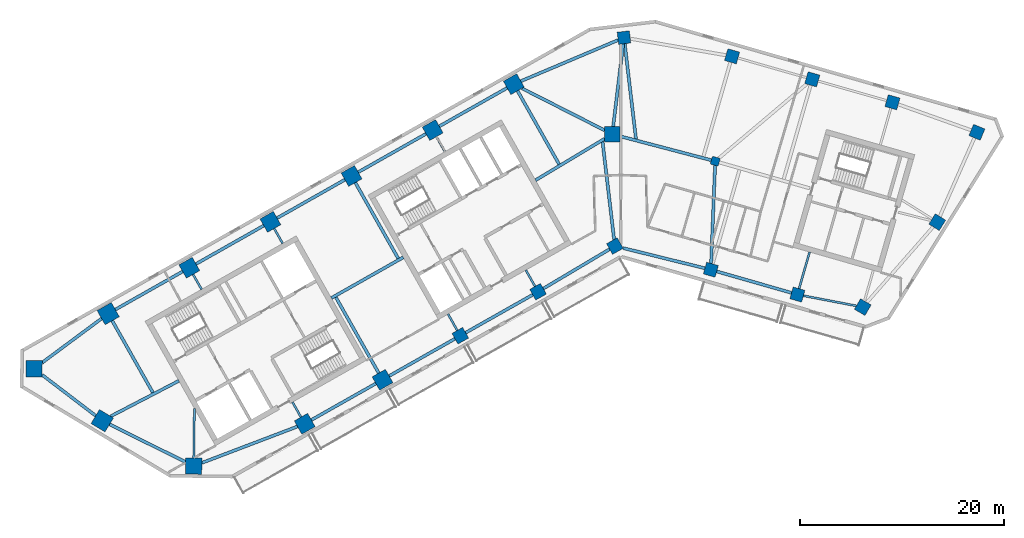
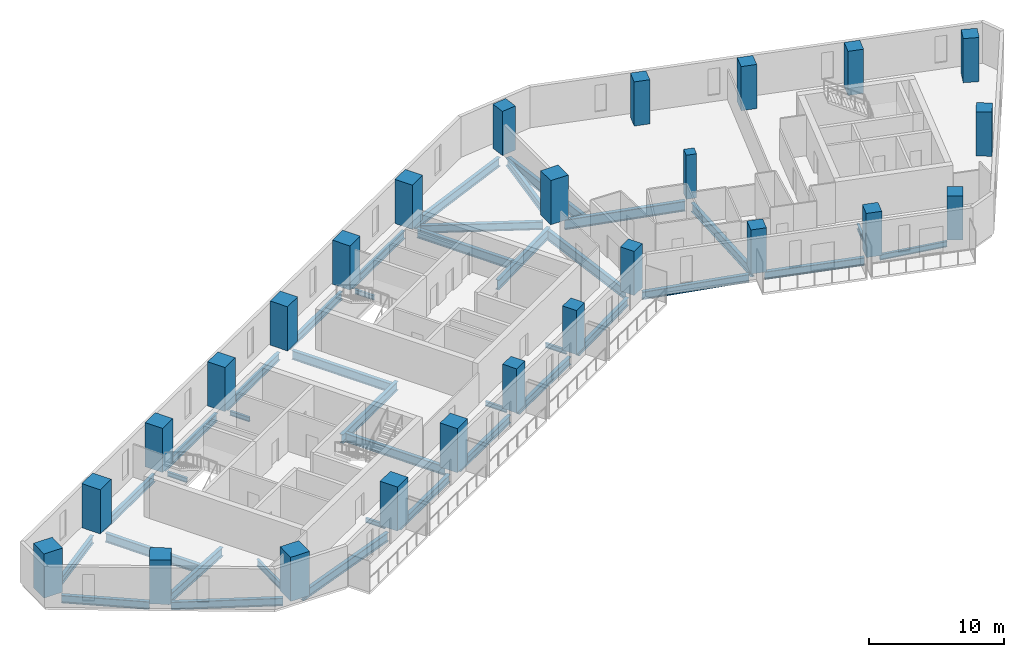
# One storey, part 1 of 9: 38 beams, 25 columns.
"""IFC4 building model written with IfcOpenShell, lengths in metres."""

from ifc_helpers import new_model, si_unit, direction, frame, origin, origin_2d, place, context, subcontext, project, spatial, rectangle, i_section, extrude, material, material_profile, profile_set, type_object, element, save


model = new_model("IFC4")

# Units and contexts
model_context = context("Model", 3, precision=1e-05, world=origin(), true_north=direction((0.0, 1.0)))
body_context = subcontext(model_context, "Body", "Model", "MODEL_VIEW")
ifc_project = project(units=[si_unit("LENGTHUNIT", "METRE"), si_unit("AREAUNIT", "SQUARE_METRE"), si_unit("VOLUMEUNIT", "CUBIC_METRE"), si_unit("PLANEANGLEUNIT", "RADIAN"), si_unit("MASSUNIT", "GRAM", prefix="KILO")], contexts=[model_context])

# Site, building, storey
site_placement = place(None, origin())
site = spatial("IfcSite", under=ifc_project, at=site_placement, CompositionType="ELEMENT")
building_placement = place(site_placement, origin())
building = spatial("IfcBuilding", under=site, at=building_placement, Name="Binnacle Exchange Tower", CompositionType="ELEMENT")
storey_placement = place(building_placement, frame((0.0, 0.0, 174.89990234375)))
storey = spatial("IfcBuildingStorey", under=building, at=storey_placement, Name="L37", CompositionType="ELEMENT", Elevation=174.89990234375)

# Columns
ifc_material_1 = material(Name="Concrete C60/75", Category="concrete")
ifc_material_profile_1 = material_profile(ifc_material_1, rectangle(XDim=0.800048828125, YDim=0.800048828125, at=origin_2d()), Name="Column 800x800 C60/75")
ifc_profile_set_1 = profile_set([ifc_material_profile_1], Name="Concrete C60/75")
column_type_1 = type_object("IfcColumnType", Name="Column 800x800 C60/75", PredefinedType="COLUMN", material=ifc_profile_set_1)
column_placement = place(storey_placement, frame((9.240966796875, 57.35009765625, 0.0), z_axis=(0.0, 0.0, 1.0), x_axis=(0.961261695938, -0.275637355817, 0.0)))
element("IfcColumn", 1, at=column_placement, inside=storey, type_object=column_type_1, Name="S:COL:C19:L37", PredefinedType="COLUMN", context=body_context, shape_type="SweptSolid", body=[
    extrude(rectangle(XDim=0.800048828125, YDim=0.800048828125, at=origin_2d()), origin(), (0.0, 0.0, 1.0), 4.0),
])
ifc_material_2 = material(Name="Concrete C70/85", Category="concrete")
ifc_material_profile_2 = material_profile(ifc_material_2, rectangle(XDim=1.199951171875, YDim=1.199951171875, at=origin_2d()), Name="Mega column 1200x1200 C70/85")
ifc_profile_set_2 = profile_set([ifc_material_profile_2], Name="Concrete C70/85")
column_type_2 = type_object("IfcColumnType", Name="Mega column 1200x1200 C70/85", PredefinedType="COLUMN", material=ifc_profile_set_2)
for number, where, z_axis, x_axis, name in (
    (2, (26.602783203125, 63.12353515625, 0.0), (0.0, 0.0, 1.0), (-0.961261695938, 0.275637355817, 0.0), "S:COL:MC52:L37"),
    (3, (18.746337890625, 65.376220703125, 0.0), (0.0, 0.0, 1.0), (-0.961261695938, 0.275637355817, 0.0), "S:COL:MC50:L37"),
    (4, (10.889892578125, 67.62890625, 0.0), (0.0, 0.0, 1.0), (-0.961261695938, 0.275637355817, 0.0), "S:COL:MC48:L37"),
    (5, (0.300048828125, 69.464111328125, 0.0), (0.0, 0.0, 1.0), (-0.993068456955, -0.117537397458, 0.0), "S:COL:MC47:L37"),
    (6, (-15.736328125, 40.257080078125, 0.0), (0.0, 0.0, 1.0), (0.87035569594, 0.492423560103, 0.0), "S:COL:MC24:L37"),
    (7, (-8.116943359375, 44.568115234375, 0.0), (0.0, 0.0, 1.0), (0.87035569594, 0.492423560103, 0.0), "S:COL:MC35:L37"),
    (8, (-0.5908203125, 49.04443359375, 0.0), (0.0, 0.0, 1.0), (0.87035569594, 0.492423560103, 0.0), "S:COL:MC46:L37"),
    (9, (8.8095703125, 46.722412109375, 0.0), (0.0, 0.0, 1.0), (0.961261695938, -0.275637355817, 0.0), "S:COL:MC49:L37"),
    (10, (17.2880859375, 44.291015625, 0.0), (0.0, 0.0, 1.0), (0.961261695938, -0.275637355817, 0.0), "S:COL:MC51:L37"),
    (11, (23.690185546875, 43.062744140625, 0.0), (0.0, 0.0, 1.0), (-0.86532642813, 0.501208711795, 0.0), "S:COL:MC53:L37"),
    (12, (30.989501953125, 51.38623046875, 0.0), (0.0, 0.0, 1.0), (0.529919264233, 0.848048096156, 0.0), "S:COL:MC55:L37"),
    (13, (34.870361328125, 60.18701171875, 0.0), (0.0, 0.0, 1.0), (-0.922814001807, 0.385245789164, 0.0), "S:COL:MC54:L37"),
):
    element("IfcColumn", number, at=place(storey_placement, frame(where, z_axis=z_axis, x_axis=x_axis)), inside=storey, type_object=column_type_2, Name=name, PredefinedType="COLUMN", context=body_context, shape_type="SweptSolid", body=[
        extrude(rectangle(XDim=1.199951171875, YDim=1.199951171875, at=origin_2d()), origin(), (0.0, 0.0, 1.0), 4.0),
    ])
ifc_material_profile_3 = material_profile(ifc_material_2, rectangle(XDim=1.5, YDim=1.5, at=origin_2d()), Name="Mega column 1500x1500 C70/85")
ifc_profile_set_3 = profile_set([ifc_material_profile_3], Name="Concrete C70/85")
column_type_3 = type_object("IfcColumnType", Name="Mega column 1500x1500 C70/85", PredefinedType="COLUMN", material=ifc_profile_set_3)
for number, where, z_axis, x_axis, name in (
    (14, (-10.4951171875, 64.901611328125, 0.0), (0.0, 0.0, 1.0), (-0.87035569594, -0.492423560103, 0.0), "S:COL:MC38:L37"),
    (15, (-18.44140625, 60.406005859375, 0.0), (0.0, 0.0, 1.0), (-0.87035569594, -0.492423560103, 0.0), "S:COL:MC29:L37"),
    (16, (-26.3876953125, 55.91015625, 0.0), (0.0, 0.0, 1.0), (-0.87035569594, -0.492423560103, 0.0), "S:COL:MC21:L37"),
    (17, (-34.333740234375, 51.414306640625, 0.0), (0.0, 0.0, 1.0), (-0.87035569594, -0.492423560103, 0.0), "S:COL:MC13:L37"),
    (18, (-42.280029296875, 46.918701171875, 0.0), (0.0, 0.0, 1.0), (-0.87035569594, -0.492423560103, 0.0), "S:COL:MC08:L37"),
    (19, (-30.9755859375, 31.63525390625, 0.0), (0.0, 0.0, 1.0), (0.87035569594, 0.492423560103, 0.0), "S:COL:MC07:L37"),
    (20, (-23.35595703125, 35.9462890625, 0.0), (0.0, 0.0, 1.0), (0.87035569594, 0.492423560103, 0.0), "S:COL:MC16:L37"),
    (21, (-0.85009765625, 60.0, 0.0), (0.0, 0.0, 1.0), (0.0, 1.0, 0.0), "S:COL:MC45:L37"),
):
    element("IfcColumn", number, at=place(storey_placement, frame(where, z_axis=z_axis, x_axis=x_axis)), inside=storey, type_object=column_type_3, Name=name, PredefinedType="COLUMN", context=body_context, shape_type="SweptSolid", body=[
        extrude(rectangle(XDim=1.5, YDim=1.5, at=origin_2d()), origin(), (0.0, 0.0, 1.0), 4.0),
    ])
ifc_material_profile_4 = material_profile(ifc_material_2, rectangle(XDim=1.60009765625, YDim=1.60009765625, at=origin_2d()), Name="Mega column 1600x1600 C70/85")
ifc_profile_set_4 = profile_set([ifc_material_profile_4], Name="Concrete C70/85")
column_type_4 = type_object("IfcColumnType", Name="Mega column 1600x1600 C70/85", PredefinedType="COLUMN", material=ifc_profile_set_4)
for number, where, z_axis, x_axis, name in (
    (22, (-50.226318359375, 42.4228515625, 0.0), (0.0, 0.0, 1.0), (-0.87035569594, -0.492423560103, 0.0), "S:COL:MC04:L37"),
    (23, (-57.492919921875, 37.02734375, 0.0), (0.0, 0.0, 1.0), (-0.013089595571, -0.999914327574, 0.0), "S:COL:MC02:L37"),
    (24, (-50.81201171875, 31.930908203125, 0.0), (0.0, 0.0, 1.0), (0.857167300702, -0.51503807491, 0.0), "S:COL:MC01:L37"),
    (25, (-41.857666015625, 27.494873046875, 0.0), (0.0, 0.0, 1.0), (0.999914327574, -0.013089595571, 0.0), "S:COL:MC03:L37"),
):
    element("IfcColumn", number, at=place(storey_placement, frame(where, z_axis=z_axis, x_axis=x_axis)), inside=storey, type_object=column_type_4, Name=name, PredefinedType="COLUMN", context=body_context, shape_type="SweptSolid", body=[
        extrude(rectangle(XDim=1.60009765625, YDim=1.60009765625, at=origin_2d()), origin(), (0.0, 0.0, 1.0), 4.0),
    ])

# Beams
ifc_material_3 = material(Name="Steel S355 (SHN355)", Category="steel")
ifc_material_profile_5 = material_profile(ifc_material_3, i_section(OverallWidth=0.200927734375, OverallDepth=0.506103515625, WebThickness=0.010986328125, FlangeThickness=0.01904296875, FilletRadius=0.02001953125, at=origin_2d()), Name="H 506x201x11x19")
ifc_profile_set_5 = profile_set([ifc_material_profile_5], Name="Steel S355 (SHN355)")
beam_type_1 = type_object("IfcBeamType", Name="Edge girder H 506x201x11x19 Steel S355 (SHN355)", PredefinedType="SPANDREL", material=ifc_profile_set_5)
beam_1_placement = place(storey_placement, frame((17.8798828125, 44.177490234375, -0.572998046875), z_axis=(0.982085171807, -0.188437563446, 0.0), x_axis=(0.188437563446, 0.982085171807, 0.0)))
element("IfcBeam", 26, at=beam_1_placement, inside=storey, type_object=beam_type_1, Name="S:BM:edge:L37:028", PredefinedType="SPANDREL", context=body_context, shape_type="SweptSolid", body=[
    extrude(i_section(OverallWidth=0.200927734375, OverallDepth=0.506103515625, WebThickness=0.010986328125, FlangeThickness=0.01904296875, FilletRadius=0.02001953125, at=origin_2d()), origin(), (0.0, 0.0, 1.0), 5.281005859375),
])
ifc_material_profile_6 = material_profile(ifc_material_3, i_section(OverallWidth=0.300048828125, OverallDepth=0.699951171875, WebThickness=0.012939453125, FlangeThickness=0.02392578125, FilletRadius=0.028076171875, at=origin_2d()), Name="H 700x300x13x24")
ifc_profile_set_6 = profile_set([ifc_material_profile_6], Name="Steel S355 (SHN355)")
beam_type_2 = type_object("IfcBeamType", Name="Edge girder H 700x300x13x24 Steel S355 (SHN355)", PredefinedType="SPANDREL", material=ifc_profile_set_6)
beam_2_placement = place(storey_placement, frame((-56.70068359375, 36.423095703125, -0.669921875), z_axis=(0.795078424379, -0.606506635649, 0.0), x_axis=(0.606506635649, 0.795078424379, 0.0)))
element("IfcBeam", 27, at=beam_2_placement, inside=storey, type_object=beam_type_2, Name="S:BM:edge:L37:011", PredefinedType="SPANDREL", context=body_context, shape_type="SweptSolid", body=[
    extrude(i_section(OverallWidth=0.300048828125, OverallDepth=0.699951171875, WebThickness=0.012939453125, FlangeThickness=0.02392578125, FilletRadius=0.028076171875, at=origin_2d()), origin(), (0.0, 0.0, 1.0), 6.6015625),
])
beam_3_placement = place(storey_placement, frame((-50.87353515625, 41.9423828125, -0.669921875), z_axis=(-0.802872533272, -0.596150732044, 0.0), x_axis=(0.596150732044, -0.802872533272, 0.0)))
element("IfcBeam", 28, at=beam_3_placement, inside=storey, type_object=beam_type_2, Name="S:BM:edge:L37:012", PredefinedType="SPANDREL", context=body_context, shape_type="SweptSolid", body=[
    extrude(i_section(OverallWidth=0.300048828125, OverallDepth=0.699951171875, WebThickness=0.012939453125, FlangeThickness=0.02392578125, FilletRadius=0.028076171875, at=origin_2d()), origin(), (0.0, 0.0, 1.0), 7.238525390625),
])
beam_4_placement = place(storey_placement, frame((-50.0927734375, 31.57470703125, -0.669921875), z_axis=(0.896061869104, -0.443929191131, 0.0), x_axis=(0.443929191131, 0.896061869104, 0.0)))
element("IfcBeam", 29, at=beam_4_placement, inside=storey, type_object=beam_type_2, Name="S:BM:edge:L37:013", PredefinedType="SPANDREL", context=body_context, shape_type="SweptSolid", body=[
    extrude(i_section(OverallWidth=0.300048828125, OverallDepth=0.699951171875, WebThickness=0.012939453125, FlangeThickness=0.02392578125, FilletRadius=0.028076171875, at=origin_2d()), origin(), (0.0, 0.0, 1.0), 8.30322265625),
])
beam_5_placement = place(storey_placement, frame((-42.932861328125, 46.54931640625, -0.669921875), z_axis=(-0.870352192811, -0.492429751811, 0.0), x_axis=(0.492429751811, -0.870352192811, 0.0)))
element("IfcBeam", 30, at=beam_5_placement, inside=storey, type_object=beam_type_2, Name="S:BM:edge:L37:014", PredefinedType="SPANDREL", context=body_context, shape_type="SweptSolid", body=[
    extrude(i_section(OverallWidth=0.300048828125, OverallDepth=0.699951171875, WebThickness=0.012939453125, FlangeThickness=0.02392578125, FilletRadius=0.028076171875, at=origin_2d()), origin(), (0.0, 0.0, 1.0), 7.57958984375),
])
beam_6_placement = place(storey_placement, frame((-34.986572265625, 51.045166015625, -0.669921875), z_axis=(-0.870355964277, -0.492423085818, 0.0), x_axis=(0.492423085818, -0.870355964277, 0.0)))
element("IfcBeam", 31, at=beam_6_placement, inside=storey, type_object=beam_type_2, Name="S:BM:edge:L37:016", PredefinedType="SPANDREL", context=body_context, shape_type="SweptSolid", body=[
    extrude(i_section(OverallWidth=0.300048828125, OverallDepth=0.699951171875, WebThickness=0.012939453125, FlangeThickness=0.02392578125, FilletRadius=0.028076171875, at=origin_2d()), origin(), (0.0, 0.0, 1.0), 7.6298828125),
])
beam_7_placement = place(storey_placement, frame((-30.32275390625, 32.004638671875, -0.669921875), z_axis=(0.870355920795, 0.492423162674, 0.0), x_axis=(-0.492423162674, 0.870355920795, 0.0)))
element("IfcBeam", 32, at=beam_7_placement, inside=storey, type_object=beam_type_2, Name="S:BM:edge:L37:017", PredefinedType="SPANDREL", context=body_context, shape_type="SweptSolid", body=[
    extrude(i_section(OverallWidth=0.300048828125, OverallDepth=0.699951171875, WebThickness=0.012939453125, FlangeThickness=0.02392578125, FilletRadius=0.028076171875, at=origin_2d()), origin(), (0.0, 0.0, 1.0), 7.25439453125),
])
beam_8_placement = place(storey_placement, frame((-27.040283203125, 55.541015625, -0.669921875), z_axis=(-0.870342250182, -0.492447324643, 0.0), x_axis=(0.492447324643, -0.870342250182, 0.0)))
element("IfcBeam", 33, at=beam_8_placement, inside=storey, type_object=beam_type_2, Name="S:BM:edge:L37:018", PredefinedType="SPANDREL", context=body_context, shape_type="SweptSolid", body=[
    extrude(i_section(OverallWidth=0.300048828125, OverallDepth=0.699951171875, WebThickness=0.012939453125, FlangeThickness=0.02392578125, FilletRadius=0.028076171875, at=origin_2d()), origin(), (0.0, 0.0, 1.0), 7.6298828125),
])
beam_9_placement = place(storey_placement, frame((-22.703125, 36.3154296875, -0.669921875), z_axis=(0.87035151347, 0.49243095252, 0.0), x_axis=(-0.49243095252, 0.87035151347, 0.0)))
element("IfcBeam", 34, at=beam_9_placement, inside=storey, type_object=beam_type_2, Name="S:BM:edge:L37:019", PredefinedType="SPANDREL", context=body_context, shape_type="SweptSolid", body=[
    extrude(i_section(OverallWidth=0.300048828125, OverallDepth=0.699951171875, WebThickness=0.012939453125, FlangeThickness=0.02392578125, FilletRadius=0.028076171875, at=origin_2d()), origin(), (0.0, 0.0, 1.0), 7.404541015625),
])
beam_10_placement = place(storey_placement, frame((-19.093994140625, 60.03662109375, -0.669921875), z_axis=(-0.870363722936, -0.492409372165, 0.0), x_axis=(0.492409372165, -0.870363722936, 0.0)))
element("IfcBeam", 35, at=beam_10_placement, inside=storey, type_object=beam_type_2, Name="S:BM:edge:L37:020", PredefinedType="SPANDREL", context=body_context, shape_type="SweptSolid", body=[
    extrude(i_section(OverallWidth=0.300048828125, OverallDepth=0.699951171875, WebThickness=0.012939453125, FlangeThickness=0.02392578125, FilletRadius=0.028076171875, at=origin_2d()), origin(), (0.0, 0.0, 1.0), 7.6298828125),
])
beam_11_placement = place(storey_placement, frame((-15.214111328125, 40.552734375, -0.669921875), z_axis=(0.870353295418, 0.492427802988, 0.0), x_axis=(-0.492427802988, 0.870353295418, 0.0)))
element("IfcBeam", 36, at=beam_11_placement, inside=storey, type_object=beam_type_2, Name="S:BM:edge:L37:021", PredefinedType="SPANDREL", context=body_context, shape_type="SweptSolid", body=[
    extrude(i_section(OverallWidth=0.300048828125, OverallDepth=0.699951171875, WebThickness=0.012939453125, FlangeThickness=0.02392578125, FilletRadius=0.028076171875, at=origin_2d()), origin(), (0.0, 0.0, 1.0), 7.554443359375),
])
beam_12_placement = place(storey_placement, frame((-11.14794921875, 64.532470703125, -0.669921875), z_axis=(-0.870355964277, -0.492423085818, 0.0), x_axis=(0.492423085818, -0.870355964277, 0.0)))
element("IfcBeam", 37, at=beam_12_placement, inside=storey, type_object=beam_type_2, Name="S:BM:edge:L37:022", PredefinedType="SPANDREL", context=body_context, shape_type="SweptSolid", body=[
    extrude(i_section(OverallWidth=0.300048828125, OverallDepth=0.699951171875, WebThickness=0.012939453125, FlangeThickness=0.02392578125, FilletRadius=0.028076171875, at=origin_2d()), origin(), (0.0, 0.0, 1.0), 7.6298828125),
])
beam_13_placement = place(storey_placement, frame((-7.60107421875, 44.875, -0.669921875), z_axis=(0.85946222832, 0.511199254783, 0.0), x_axis=(-0.511199254783, 0.85946222832, 0.0)))
element("IfcBeam", 38, at=beam_13_placement, inside=storey, type_object=beam_type_2, Name="S:BM:edge:L37:023", PredefinedType="SPANDREL", context=body_context, shape_type="SweptSolid", body=[
    extrude(i_section(OverallWidth=0.300048828125, OverallDepth=0.699951171875, WebThickness=0.012939453125, FlangeThickness=0.02392578125, FilletRadius=0.028076171875, at=origin_2d()), origin(), (0.0, 0.0, 1.0), 7.556396484375),
])
beam_14_placement = place(storey_placement, frame((0.21044921875, 48.846435546875, -0.669921875), z_axis=(0.970817017645, -0.239821429924, 0.0), x_axis=(0.239821429924, 0.970817017645, 0.0)))
element("IfcBeam", 39, at=beam_14_placement, inside=storey, type_object=beam_type_2, Name="S:BM:edge:L37:025", PredefinedType="SPANDREL", context=body_context, shape_type="SweptSolid", body=[
    extrude(i_section(OverallWidth=0.300048828125, OverallDepth=0.699951171875, WebThickness=0.012939453125, FlangeThickness=0.02392578125, FilletRadius=0.028076171875, at=origin_2d()), origin(), (0.0, 0.0, 1.0), 8.257080078125),
])
beam_15_placement = place(storey_placement, frame((9.38623046875, 46.556884765625, -0.669921875), z_axis=(0.961266012815, -0.275622300635, 0.0), x_axis=(0.275622300635, 0.961266012815, 0.0)))
element("IfcBeam", 40, at=beam_15_placement, inside=storey, type_object=beam_type_2, Name="S:BM:edge:L37:026", PredefinedType="SPANDREL", context=body_context, shape_type="SweptSolid", body=[
    extrude(i_section(OverallWidth=0.300048828125, OverallDepth=0.699951171875, WebThickness=0.012939453125, FlangeThickness=0.02392578125, FilletRadius=0.028076171875, at=origin_2d()), origin(), (0.0, 0.0, 1.0), 7.620361328125),
])
ifc_material_profile_7 = material_profile(ifc_material_3, i_section(OverallWidth=0.300048828125, OverallDepth=0.800048828125, WebThickness=0.013916015625, FlangeThickness=0.02587890625, FilletRadius=0.028076171875, at=origin_2d()), Name="H 800x300x14x26")
ifc_profile_set_7 = profile_set([ifc_material_profile_7], Name="Steel S355 (SHN355)")
beam_type_3 = type_object("IfcBeamType", Name="Edge girder H 800x300x14x26 Steel S355 (SHN355)", PredefinedType="SPANDREL", material=ifc_profile_set_7)
beam_16_placement = place(storey_placement, frame((-41.0537109375, 27.80078125, -0.719970703125), z_axis=(0.934633884233, 0.355611448695, 0.0), x_axis=(-0.355611448695, 0.934633884233, 0.0)))
element("IfcBeam", 41, at=beam_16_placement, inside=storey, type_object=beam_type_3, Name="S:BM:edge:L37:015", PredefinedType="SPANDREL", context=body_context, shape_type="SweptSolid", body=[
    extrude(i_section(OverallWidth=0.300048828125, OverallDepth=0.800048828125, WebThickness=0.013916015625, FlangeThickness=0.02587890625, FilletRadius=0.028076171875, at=origin_2d()), origin(), (0.0, 0.0, 1.0), 10.024169921875),
])
beam_17_placement = place(storey_placement, frame((-0.275390625, 69.220947265625, -0.719970703125), z_axis=(-0.921111875234, -0.389297974953, 0.0), x_axis=(0.389297974953, -0.921111875234, 0.0)))
element("IfcBeam", 42, at=beam_17_placement, inside=storey, type_object=beam_type_3, Name="S:BM:edge:L37:024", PredefinedType="SPANDREL", context=body_context, shape_type="SweptSolid", body=[
    extrude(i_section(OverallWidth=0.300048828125, OverallDepth=0.800048828125, WebThickness=0.013916015625, FlangeThickness=0.02587890625, FilletRadius=0.028076171875, at=origin_2d()), origin(), (0.0, 0.0, 1.0), 10.340087890625),
])
ifc_material_profile_8 = material_profile(ifc_material_3, i_section(OverallWidth=0.199951171875, OverallDepth=0.39990234375, WebThickness=0.008056640625, FlangeThickness=0.012939453125, FilletRadius=0.01611328125, at=origin_2d()), Name="H 400x200x8x13")
ifc_profile_set_8 = profile_set([ifc_material_profile_8], Name="Steel S355 (SHN355)")
beam_type_4 = type_object("IfcBeamType", Name="Floor beam H 400x200x8x13 Steel S355 (SHN355)", PredefinedType="BEAM", material=ifc_profile_set_8)
beam_18_placement = place(storey_placement, frame((-41.91064453125, 46.265869140625, -0.52001953125), z_axis=(0.49243456751, -0.870349468157, 0.0), x_axis=(0.870349468157, 0.49243456751, 0.0)))
element("IfcBeam", 43, at=beam_18_placement, inside=storey, type_object=beam_type_4, Name="S:BM:cross:L37:035", PredefinedType="BEAM", context=body_context, shape_type="SweptSolid", body=[
    extrude(i_section(OverallWidth=0.199951171875, OverallDepth=0.39990234375, WebThickness=0.008056640625, FlangeThickness=0.012939453125, FilletRadius=0.01611328125, at=origin_2d()), origin(), (0.0, 0.0, 1.0), 1.68408203125),
])
beam_19_placement = place(storey_placement, frame((-33.964599609375, 50.76171875, -0.52001953125), z_axis=(0.492482237839, -0.870322495063, 0.0), x_axis=(0.870322495063, 0.492482237839, 0.0)))
element("IfcBeam", 44, at=beam_19_placement, inside=storey, type_object=beam_type_4, Name="S:BM:cross:L37:037", PredefinedType="BEAM", context=body_context, shape_type="SweptSolid", body=[
    extrude(i_section(OverallWidth=0.199951171875, OverallDepth=0.39990234375, WebThickness=0.008056640625, FlangeThickness=0.012939453125, FilletRadius=0.01611328125, at=origin_2d()), origin(), (0.0, 0.0, 1.0), 1.6845703125),
])
for number, where, z_axis, x_axis, name in (
    (45, (-31.344970703125, 32.2880859375, -0.52001953125), (-0.49243456751, 0.870349468157, 0.0), (-0.870349468157, -0.49243456751, 0.0), "S:BM:cross:L37:038"),
    (46, (-18.072021484375, 59.753173828125, -0.52001953125), (0.49243456751, -0.870349468157, 0.0), (0.870349468157, 0.49243456751, 0.0), "S:BM:cross:L37:041"),
):
    element("IfcBeam", number, at=place(storey_placement, frame(where, z_axis=z_axis, x_axis=x_axis)), inside=storey, type_object=beam_type_4, Name=name, PredefinedType="BEAM", context=body_context, shape_type="SweptSolid", body=[
        extrude(i_section(OverallWidth=0.199951171875, OverallDepth=0.39990234375, WebThickness=0.008056640625, FlangeThickness=0.012939453125, FilletRadius=0.01611328125, at=origin_2d()), origin(), (0.0, 0.0, 1.0), 1.68408203125),
    ])
beam_20_placement = place(storey_placement, frame((-16.031982421875, 40.779296875, -0.52001953125), z_axis=(-0.492307212856, 0.870421511781, 0.0), x_axis=(-0.870421511781, -0.492307212856, 0.0)))
element("IfcBeam", 47, at=beam_20_placement, inside=storey, type_object=beam_type_4, Name="S:BM:cross:L37:042", PredefinedType="BEAM", context=body_context, shape_type="SweptSolid", body=[
    extrude(i_section(OverallWidth=0.199951171875, OverallDepth=0.39990234375, WebThickness=0.008056640625, FlangeThickness=0.012939453125, FilletRadius=0.01611328125, at=origin_2d()), origin(), (0.0, 0.0, 1.0), 1.83447265625),
])
beam_21_placement = place(storey_placement, frame((-8.412353515625, 45.09033203125, -0.52001953125), z_axis=(-0.492465079532, 0.87033220407, 0.0), x_axis=(-0.87033220407, -0.492465079532, 0.0)))
element("IfcBeam", 48, at=beam_21_placement, inside=storey, type_object=beam_type_4, Name="S:BM:cross:L37:044", PredefinedType="BEAM", context=body_context, shape_type="SweptSolid", body=[
    extrude(i_section(OverallWidth=0.199951171875, OverallDepth=0.39990234375, WebThickness=0.008056640625, FlangeThickness=0.012939453125, FilletRadius=0.01611328125, at=origin_2d()), origin(), (0.0, 0.0, 1.0), 1.834228515625),
])
ifc_material_profile_9 = material_profile(ifc_material_3, i_section(OverallWidth=0.199951171875, OverallDepth=0.5, WebThickness=0.010009765625, FlangeThickness=0.01611328125, FilletRadius=0.02001953125, at=origin_2d()), Name="H 500x200x10x16")
ifc_profile_set_9 = profile_set([ifc_material_profile_9], Name="Steel S355 (SHN355)")
beam_type_5 = type_object("IfcBeamType", Name="Floor beam H 500x200x10x16 Steel S355 (SHN355)", PredefinedType="BEAM", material=ifc_profile_set_9)
beam_22_placement = place(storey_placement, frame((17.45361328125, 44.867919921875, -0.56982421875), z_axis=(0.275644746045, 0.961259576794, 0.0), x_axis=(-0.961259576794, 0.275644746045, 0.0)))
element("IfcBeam", 49, at=beam_22_placement, inside=storey, type_object=beam_type_5, Name="S:BM:cross:L37:049", PredefinedType="BEAM", context=body_context, shape_type="SweptSolid", body=[
    extrude(i_section(OverallWidth=0.199951171875, OverallDepth=0.5, WebThickness=0.010009765625, FlangeThickness=0.01611328125, FilletRadius=0.02001953125, at=origin_2d()), origin(), (0.0, 0.0, 1.0), 3.735107421875),
])
ifc_material_profile_10 = material_profile(ifc_material_3, i_section(OverallWidth=0.200927734375, OverallDepth=0.60595703125, WebThickness=0.011962890625, FlangeThickness=0.02001953125, FilletRadius=0.02197265625, at=origin_2d()), Name="H 606x201x12x20")
ifc_profile_set_10 = profile_set([ifc_material_profile_10], Name="Steel S355 (SHN355)")
beam_type_6 = type_object("IfcBeamType", Name="Floor beam H 606x201x12x20 Steel S355 (SHN355)", PredefinedType="BEAM", material=ifc_profile_set_10)
beam_23_placement = place(storey_placement, frame((-41.84716796875, 28.294677734375, -0.622802734375), z_axis=(0.013085908175, 0.999914375838, 0.0), x_axis=(-0.999914375838, 0.013085908175, 0.0)))
element("IfcBeam", 50, at=beam_23_placement, inside=storey, type_object=beam_type_6, Name="S:BM:cross:L37:036", PredefinedType="BEAM", context=body_context, shape_type="SweptSolid", body=[
    extrude(i_section(OverallWidth=0.200927734375, OverallDepth=0.60595703125, WebThickness=0.011962890625, FlangeThickness=0.02001953125, FilletRadius=0.02197265625, at=origin_2d()), origin(), (0.0, 0.0, 1.0), 4.850830078125),
])
ifc_material_profile_11 = material_profile(ifc_material_3, i_section(OverallWidth=0.302001953125, OverallDepth=0.80810546875, WebThickness=0.01611328125, FlangeThickness=0.030029296875, FilletRadius=0.028076171875, at=origin_2d()), Name="H 808x302x16x30")
ifc_profile_set_11 = profile_set([ifc_material_profile_11], Name="Steel S355 (SHN355)")
beam_type_7 = type_object("IfcBeamType", Name="Floor beam H 808x302x16x30 Steel S355 (SHN355)", PredefinedType="BEAM", material=ifc_profile_set_11)
beam_24_placement = place(storey_placement, frame((-49.832275390625, 41.7265625, -0.723876953125), z_axis=(0.492430056331, -0.870352020519, 0.0), x_axis=(0.870352020519, 0.492430056331, 0.0)))
element("IfcBeam", 51, at=beam_24_placement, inside=storey, type_object=beam_type_7, Name="S:BM:cross:L37:034", PredefinedType="BEAM", context=body_context, shape_type="SweptSolid", body=[
    extrude(i_section(OverallWidth=0.302001953125, OverallDepth=0.80810546875, WebThickness=0.01611328125, FlangeThickness=0.030029296875, FilletRadius=0.028076171875, at=origin_2d()), origin(), (0.0, 0.0, 1.0), 8.09130859375),
])
for number, where, z_axis, x_axis, name in (
    (52, (-26.018310546875, 55.25732421875, -0.723876953125), (0.4924220214, -0.870356566495, 0.0), (0.870356566495, 0.4924220214, 0.0), "S:BM:cross:L37:039"),
    (53, (-23.725341796875, 36.59912109375, -0.723876953125), (-0.4924220214, 0.870356566495, 0.0), (-0.870356566495, -0.4924220214, 0.0), "S:BM:cross:L37:040"),
):
    element("IfcBeam", number, at=place(storey_placement, frame(where, z_axis=z_axis, x_axis=x_axis)), inside=storey, type_object=beam_type_7, Name=name, PredefinedType="BEAM", context=body_context, shape_type="SweptSolid", body=[
        extrude(i_section(OverallWidth=0.302001953125, OverallDepth=0.80810546875, WebThickness=0.01611328125, FlangeThickness=0.030029296875, FilletRadius=0.028076171875, at=origin_2d()), origin(), (0.0, 0.0, 1.0), 8.5341796875),
    ])
beam_25_placement = place(storey_placement, frame((-10.125732421875, 64.248779296875, -0.723876953125), z_axis=(0.492423973828, -0.870355461866, 0.0), x_axis=(0.870355461866, 0.492423973828, 0.0)))
element("IfcBeam", 54, at=beam_25_placement, inside=storey, type_object=beam_type_7, Name="S:BM:cross:L37:043", PredefinedType="BEAM", context=body_context, shape_type="SweptSolid", body=[
    extrude(i_section(OverallWidth=0.302001953125, OverallDepth=0.80810546875, WebThickness=0.01611328125, FlangeThickness=0.030029296875, FilletRadius=0.028076171875, at=origin_2d()), origin(), (0.0, 0.0, 1.0), 8.269287109375),
])
ifc_material_profile_12 = material_profile(ifc_material_3, i_section(OverallWidth=0.302001953125, OverallDepth=0.912109375, WebThickness=0.01806640625, FlangeThickness=0.033935546875, FilletRadius=0.028076171875, at=origin_2d()), Name="H 912x302x18x34")
ifc_profile_set_12 = profile_set([ifc_material_profile_12], Name="Steel S355 (SHN355)")
beam_type_8 = type_object("IfcBeamType", Name="Floor beam H 912x302x18x34 Steel S355 (SHN355)", PredefinedType="BEAM", material=ifc_profile_set_12)
beam_26_placement = place(storey_placement, frame((-0.66748046875, 49.690673828125, -0.77587890625), z_axis=(-0.117518220547, 0.993070726504, 0.0), x_axis=(-0.993070726504, -0.117518220547, 0.0)))
element("IfcBeam", 55, at=beam_26_placement, inside=storey, type_object=beam_type_8, Name="S:BM:cross:L37:045", PredefinedType="BEAM", context=body_context, shape_type="SweptSolid", body=[
    extrude(i_section(OverallWidth=0.302001953125, OverallDepth=0.912109375, WebThickness=0.01806640625, FlangeThickness=0.033935546875, FilletRadius=0.028076171875, at=origin_2d()), origin(), (0.0, 0.0, 1.0), 9.645751953125),
])
beam_27_placement = place(storey_placement, frame((0.37060546875, 68.868408203125, -0.77587890625), z_axis=(0.117552497625, -0.993066669616, 0.0), x_axis=(0.993066669616, 0.117552497625, 0.0)))
element("IfcBeam", 56, at=beam_27_placement, inside=storey, type_object=beam_type_8, Name="S:BM:cross:L37:046", PredefinedType="BEAM", context=body_context, shape_type="SweptSolid", body=[
    extrude(i_section(OverallWidth=0.302001953125, OverallDepth=0.912109375, WebThickness=0.01806640625, FlangeThickness=0.033935546875, FilletRadius=0.028076171875, at=origin_2d()), origin(), (0.0, 0.0, 1.0), 9.39990234375),
])
ifc_material_profile_13 = material_profile(ifc_material_3, i_section(OverallWidth=0.300048828125, OverallDepth=0.699951171875, WebThickness=0.012939453125, FlangeThickness=0.02392578125, FilletRadius=0.028076171875, at=origin_2d()), Name="H 700x300x13x24")
ifc_profile_set_13 = profile_set([ifc_material_profile_13], Name="Steel S355 (SHN355)")
beam_type_9 = type_object("IfcBeamType", Name="Spine girder H 700x300x13x24 Steel S355 (SHN355)", PredefinedType="BEAM", material=ifc_profile_set_13)
beam_28_placement = place(storey_placement, frame((-0.7587890625, 60.75, -0.669921875), z_axis=(0.120620829002, 0.992698652971, 0.0), x_axis=(-0.992698652971, 0.120620829002, 0.0)))
element("IfcBeam", 57, at=beam_28_placement, inside=storey, type_object=beam_type_9, Name="S:BM:spine:L37:005", PredefinedType="BEAM", context=body_context, shape_type="SweptSolid", body=[
    extrude(i_section(OverallWidth=0.300048828125, OverallDepth=0.699951171875, WebThickness=0.012939453125, FlangeThickness=0.02392578125, FilletRadius=0.028076171875, at=origin_2d()), origin(), (0.0, 0.0, 1.0), 8.160888671875),
])
ifc_material_profile_14 = material_profile(ifc_material_3, i_section(OverallWidth=0.302001953125, OverallDepth=0.7080078125, WebThickness=0.014892578125, FlangeThickness=0.028076171875, FilletRadius=0.028076171875, at=origin_2d()), Name="H 708x302x15x28")
ifc_profile_set_14 = profile_set([ifc_material_profile_14], Name="Steel S355 (SHN355)")
beam_type_10 = type_object("IfcBeamType", Name="Spine girder H 708x302x15x28 Steel S355 (SHN355)", PredefinedType="BEAM", material=ifc_profile_set_14)
beam_29_placement = place(storey_placement, frame((-1.60009765625, 60.381103515625, -0.673828125), z_axis=(-0.891476459322, 0.453067017641, 0.0), x_axis=(-0.453067017641, -0.891476459322, 0.0)))
element("IfcBeam", 58, at=beam_29_placement, inside=storey, type_object=beam_type_10, Name="S:BM:spine:L37:004", PredefinedType="BEAM", context=body_context, shape_type="SweptSolid", body=[
    extrude(i_section(OverallWidth=0.302001953125, OverallDepth=0.7080078125, WebThickness=0.014892578125, FlangeThickness=0.028076171875, FilletRadius=0.028076171875, at=origin_2d()), origin(), (0.0, 0.0, 1.0), 9.07763671875),
])
ifc_material_profile_15 = material_profile(ifc_material_3, i_section(OverallWidth=0.302001953125, OverallDepth=0.80810546875, WebThickness=0.01611328125, FlangeThickness=0.030029296875, FilletRadius=0.028076171875, at=origin_2d()), Name="H 808x302x16x30")
ifc_profile_set_15 = profile_set([ifc_material_profile_15], Name="Steel S355 (SHN355)")
beam_type_11 = type_object("IfcBeamType", Name="Spine girder H 808x302x16x30 Steel S355 (SHN355)", PredefinedType="BEAM", material=ifc_profile_set_15)
beam_30_placement = place(storey_placement, frame((-49.979736328125, 32.3642578125, -0.723876953125), z_axis=(0.886978621009, 0.461810486968, 0.0), x_axis=(-0.461810486968, 0.886978621009, 0.0)))
element("IfcBeam", 59, at=beam_30_placement, inside=storey, type_object=beam_type_11, Name="S:BM:spine:L37:001", PredefinedType="BEAM", context=body_context, shape_type="SweptSolid", body=[
    extrude(i_section(OverallWidth=0.302001953125, OverallDepth=0.80810546875, WebThickness=0.01611328125, FlangeThickness=0.030029296875, FilletRadius=0.028076171875, at=origin_2d()), origin(), (0.0, 0.0, 1.0), 7.522216796875),
])
beam_31_placement = place(storey_placement, frame((-28.365478515625, 43.951416015625, -0.723876953125), z_axis=(0.870350319004, 0.492433063684, 0.0), x_axis=(-0.492433063684, 0.870350319004, 0.0)))
element("IfcBeam", 60, at=beam_31_placement, inside=storey, type_object=beam_type_11, Name="S:BM:spine:L37:002", PredefinedType="BEAM", context=body_context, shape_type="SweptSolid", body=[
    extrude(i_section(OverallWidth=0.302001953125, OverallDepth=0.80810546875, WebThickness=0.01611328125, FlangeThickness=0.030029296875, FilletRadius=0.028076171875, at=origin_2d()), origin(), (0.0, 0.0, 1.0), 8.0908203125),
])
beam_32_placement = place(storey_placement, frame((9.22412109375, 56.93896484375, -0.723876953125), z_axis=(-0.040556634715, -0.999177241224, 0.0), x_axis=(0.999177241224, -0.040556634715, 0.0)))
element("IfcBeam", 61, at=beam_32_placement, inside=storey, type_object=beam_type_11, Name="S:BM:spine:L37:007", PredefinedType="BEAM", context=body_context, shape_type="SweptSolid", body=[
    extrude(i_section(OverallWidth=0.302001953125, OverallDepth=0.80810546875, WebThickness=0.01611328125, FlangeThickness=0.030029296875, FilletRadius=0.028076171875, at=origin_2d()), origin(), (0.0, 0.0, 1.0), 9.607421875),
])
ifc_material_profile_16 = material_profile(ifc_material_3, i_section(OverallWidth=0.302001953125, OverallDepth=0.912109375, WebThickness=0.01806640625, FlangeThickness=0.033935546875, FilletRadius=0.028076171875, at=origin_2d()), Name="H 912x302x18x34")
ifc_profile_set_16 = profile_set([ifc_material_profile_16], Name="Steel S355 (SHN355)")
beam_type_12 = type_object("IfcBeamType", Name="Spine girder H 912x302x18x34 Steel S355 (SHN355)", PredefinedType="BEAM", material=ifc_profile_set_16)
beam_33_placement = place(storey_placement, frame((-8.36328125, 55.489990234375, -0.77587890625), z_axis=(0.857386401747, 0.514673253724, 0.0), x_axis=(-0.514673253724, 0.857386401747, 0.0)))
element("IfcBeam", 62, at=beam_33_placement, inside=storey, type_object=beam_type_12, Name="S:BM:spine:L37:003", PredefinedType="BEAM", context=body_context, shape_type="SweptSolid", body=[
    extrude(i_section(OverallWidth=0.302001953125, OverallDepth=0.912109375, WebThickness=0.01806640625, FlangeThickness=0.033935546875, FilletRadius=0.028076171875, at=origin_2d()), origin(), (0.0, 0.0, 1.0), 7.88818359375),
])
beam_34_placement = place(storey_placement, frame((-0.10009765625, 59.802978515625, -0.77587890625), z_axis=(0.967214448634, -0.253961041017, 0.0), x_axis=(0.253961041017, 0.967214448634, 0.0)))
element("IfcBeam", 63, at=beam_34_placement, inside=storey, type_object=beam_type_12, Name="S:BM:spine:L37:006", PredefinedType="BEAM", context=body_context, shape_type="SweptSolid", body=[
    extrude(i_section(OverallWidth=0.302001953125, OverallDepth=0.912109375, WebThickness=0.01806640625, FlangeThickness=0.033935546875, FilletRadius=0.028076171875, at=origin_2d()), origin(), (0.0, 0.0, 1.0), 9.257568359375),
])

save(model, "model.ifc")
